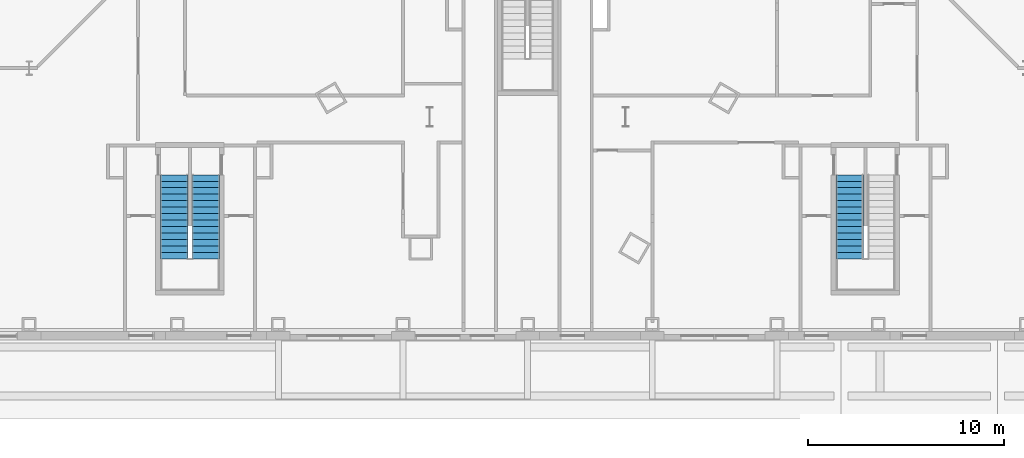
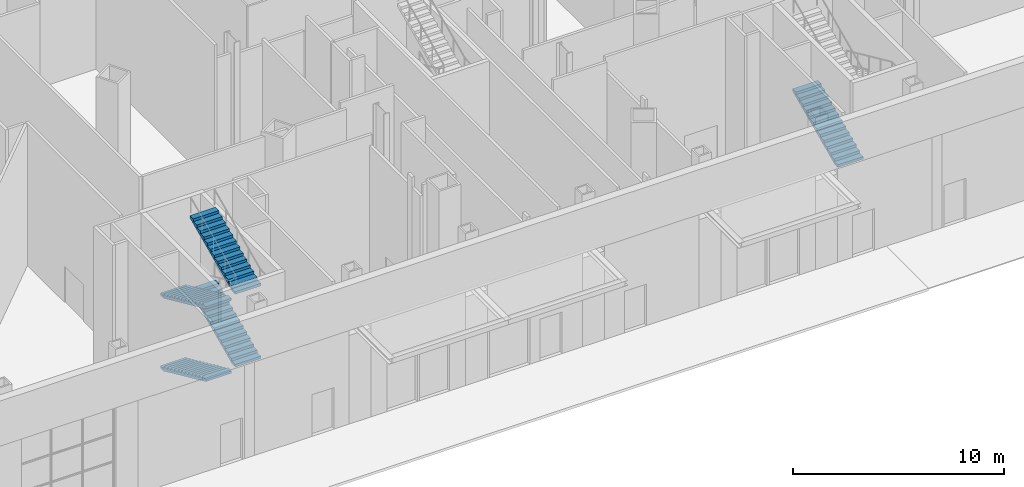
# One storey, part 25 of 34: 5 stair flights, 2 elements without a shape of their own.
"""IFC4 building model written with IfcOpenShell, lengths in metres."""

from ifc_helpers import new_model, si_unit, direction, frame, origin, place, context, subcontext, project, spatial, polygons, material, type_object, element, aggregate, save


model = new_model("IFC4")

# Units and contexts
model_context = context("Model", 3, precision=1e-05, world=origin(), true_north=direction((0.0, 1.0)))
body_context = subcontext(model_context, "Body", "Model", "MODEL_VIEW")
ifc_project = project(units=[si_unit("LENGTHUNIT", "METRE"), si_unit("AREAUNIT", "SQUARE_METRE"), si_unit("VOLUMEUNIT", "CUBIC_METRE"), si_unit("PLANEANGLEUNIT", "RADIAN"), si_unit("MASSUNIT", "GRAM", prefix="KILO")], contexts=[model_context])

# Site, building, storey
site_placement = place(None, origin())
site = spatial("IfcSite", under=ifc_project, at=site_placement, CompositionType="ELEMENT")
building_placement = place(site_placement, origin())
building = spatial("IfcBuilding", under=site, at=building_placement, Name="Njiva Tower", CompositionType="ELEMENT")
storey_placement = place(building_placement, origin())
storey = spatial("IfcBuildingStorey", under=building, at=storey_placement, Name="L00", CompositionType="ELEMENT", Elevation=0.0)

# Stair, stair flights
ifc_material = material(Name="Concrete C40/50", Category="concrete")
stair_type = type_object("IfcStairType", Name="ST2 Exit stair 1400", PredefinedType="HALF_TURN_STAIR", material=ifc_material)
stair_1_placement = place(storey_placement, origin())
stair_1 = element("IfcStair", 1, at=stair_1_placement, inside=storey, type_object=stair_type, Name="Stair D", PredefinedType="DOUBLE_RETURN_STAIR")
stair_flight_type = type_object("IfcStairFlightType", Name="FL2 Stair flight 1400", PredefinedType="STRAIGHT", material=ifc_material)
stair_flight_1_placement = place(storey_placement, frame((-18.05, -25.35, 0.0), z_axis=(0.0, 0.0, 1.0), x_axis=(0.0, -1.0, 0.0)))
stair_flight_1 = element("IfcStairFlight", 2, at=stair_flight_1_placement, type_object=stair_flight_type, Name="ST-D flight 1", NumberOfRisers=14, NumberOfTreads=13, PredefinedType="STRAIGHT", RiserHeight=0.15, TreadLength=0.33, context=body_context, shape_type="Tessellation", body=[
    polygons([(0.0, 0.7, 0.0), (0.0, 0.35, 0.0), (0.0, 0.0, 0.0), (0.0, -0.35, 0.0), (0.0, -0.7, 0.0), (0.0, 0.7, 0.15), (0.0, 0.35, 0.15), (0.0, 0.0, 0.15), (0.0, -0.35, 0.15), (0.0, -0.7, 0.15), (0.33, 0.7, 0.15), (0.33, 0.35, 0.15), (0.33, 0.0, 0.15), (0.33, -0.35, 0.15), (0.33, -0.7, 0.15), (0.33, 0.7, 0.3), (0.33, 0.35, 0.3), (0.33, 0.0, 0.3), (0.33, -0.35, 0.3), (0.33, -0.7, 0.3), (0.66, 0.7, 0.3), (0.66, 0.35, 0.3), (0.66, 0.0, 0.3), (0.66, -0.35, 0.3), (0.66, -0.7, 0.3), (0.66, 0.7, 0.45), (0.66, 0.35, 0.45), (0.66, 0.0, 0.45), (0.66, -0.35, 0.45), (0.66, -0.7, 0.45), (0.99, 0.7, 0.45), (0.99, 0.35, 0.45), (0.99, 0.0, 0.45), (0.99, -0.35, 0.45), (0.99, -0.7, 0.45), (0.99, 0.7, 0.6), (0.99, 0.35, 0.6), (0.99, 0.0, 0.6), (0.99, -0.35, 0.6), (0.99, -0.7, 0.6), (1.32, 0.7, 0.6), (1.32, 0.35, 0.6), (1.32, 0.0, 0.6), (1.32, -0.35, 0.6), (1.32, -0.7, 0.6), (1.32, 0.7, 0.75), (1.32, 0.35, 0.75), (1.32, 0.0, 0.75), (1.32, -0.35, 0.75), (1.32, -0.7, 0.75), (1.65, 0.7, 0.75), (1.65, 0.35, 0.75), (1.65, 0.0, 0.75), (1.65, -0.35, 0.75), (1.65, -0.7, 0.75), (1.65, 0.7, 0.9), (1.65, 0.35, 0.9), (1.65, 0.0, 0.9), (1.65, -0.35, 0.9), (1.65, -0.7, 0.9), (1.98, 0.7, 0.9), (1.98, 0.35, 0.9), (1.98, 0.0, 0.9), (1.98, -0.35, 0.9), (1.98, -0.7, 0.9), (1.98, 0.7, 1.05), (1.98, 0.35, 1.05), (1.98, 0.0, 1.05), (1.98, -0.35, 1.05), (1.98, -0.7, 1.05), (2.31, 0.7, 1.05), (2.31, 0.35, 1.05), (2.31, 0.0, 1.05), (2.31, -0.35, 1.05), (2.31, -0.7, 1.05), (2.31, 0.7, 1.2), (2.31, 0.35, 1.2), (2.31, 0.0, 1.2), (2.31, -0.35, 1.2), (2.31, -0.7, 1.2), (2.64, 0.7, 1.2), (2.64, 0.35, 1.2), (2.64, 0.0, 1.2), (2.64, -0.35, 1.2), (2.64, -0.7, 1.2), (2.64, 0.7, 1.35), (2.64, 0.35, 1.35), (2.64, 0.0, 1.35), (2.64, -0.35, 1.35), (2.64, -0.7, 1.35), (2.97, 0.7, 1.35), (2.97, 0.35, 1.35), (2.97, 0.0, 1.35), (2.97, -0.35, 1.35), (2.97, -0.7, 1.35), (2.97, 0.7, 1.5), (2.97, 0.35, 1.5), (2.97, 0.0, 1.5), (2.97, -0.35, 1.5), (2.97, -0.7, 1.5), (3.3, 0.7, 1.5), (3.3, 0.35, 1.5), (3.3, 0.0, 1.5), (3.3, -0.35, 1.5), (3.3, -0.7, 1.5), (3.3, 0.7, 1.65), (3.3, 0.35, 1.65), (3.3, 0.0, 1.65), (3.3, -0.35, 1.65), (3.3, -0.7, 1.65), (3.63, 0.7, 1.65), (3.63, 0.35, 1.65), (3.63, 0.0, 1.65), (3.63, -0.35, 1.65), (3.63, -0.7, 1.65), (3.63, 0.7, 1.8), (3.63, 0.35, 1.8), (3.63, 0.0, 1.8), (3.63, -0.35, 1.8), (3.63, -0.7, 1.8), (3.96, 0.7, 1.8), (3.96, 0.35, 1.8), (3.96, 0.0, 1.8), (3.96, -0.35, 1.8), (3.96, -0.7, 1.8), (3.96, 0.7, 1.95), (3.96, 0.35, 1.95), (3.96, 0.0, 1.95), (3.96, -0.35, 1.95), (3.96, -0.7, 1.95), (4.29, 0.7, 1.95), (4.29, 0.35, 1.95), (4.29, 0.0, 1.95), (4.29, -0.35, 1.95), (4.29, -0.7, 1.95), (4.29, 0.7, 1.8182), (4.29, 0.35, 1.8182), (4.29, 0.0, 1.8182), (4.29, -0.35, 1.8182), (4.29, -0.7, 1.8182), (0.29, 0.7, 0.0), (0.29, 0.35, 0.0), (0.29, 0.0, 0.0), (0.29, -0.35, 0.0), (0.29, -0.7, 0.0)], [[[1, 6, 11, 16, 21, 26, 31, 36, 41, 46, 51, 56, 61, 66, 71, 76, 81, 86, 91, 96, 101, 106, 111, 116, 121, 126, 131, 136, 141]], [[145, 140, 135, 130, 125, 120, 115, 110, 105, 100, 95, 90, 85, 80, 75, 70, 65, 60, 55, 50, 45, 40, 35, 30, 25, 20, 15, 10, 5]], [[6, 1, 2, 7]], [[7, 2, 3, 8]], [[8, 3, 4, 9]], [[9, 4, 5, 10]], [[11, 6, 7, 12]], [[12, 7, 8, 13]], [[13, 8, 9, 14]], [[14, 9, 10, 15]], [[16, 11, 12, 17]], [[17, 12, 13, 18]], [[18, 13, 14, 19]], [[19, 14, 15, 20]], [[21, 16, 17, 22]], [[22, 17, 18, 23]], [[23, 18, 19, 24]], [[24, 19, 20, 25]], [[26, 21, 22, 27]], [[27, 22, 23, 28]], [[28, 23, 24, 29]], [[29, 24, 25, 30]], [[31, 26, 27, 32]], [[32, 27, 28, 33]], [[33, 28, 29, 34]], [[34, 29, 30, 35]], [[36, 31, 32, 37]], [[37, 32, 33, 38]], [[38, 33, 34, 39]], [[39, 34, 35, 40]], [[41, 36, 37, 42]], [[42, 37, 38, 43]], [[43, 38, 39, 44]], [[44, 39, 40, 45]], [[46, 41, 42, 47]], [[47, 42, 43, 48]], [[48, 43, 44, 49]], [[49, 44, 45, 50]], [[51, 46, 47, 52]], [[52, 47, 48, 53]], [[53, 48, 49, 54]], [[54, 49, 50, 55]], [[56, 51, 52, 57]], [[57, 52, 53, 58]], [[58, 53, 54, 59]], [[59, 54, 55, 60]], [[61, 56, 57, 62]], [[62, 57, 58, 63]], [[63, 58, 59, 64]], [[64, 59, 60, 65]], [[66, 61, 62, 67]], [[67, 62, 63, 68]], [[68, 63, 64, 69]], [[69, 64, 65, 70]], [[71, 66, 67, 72]], [[72, 67, 68, 73]], [[73, 68, 69, 74]], [[74, 69, 70, 75]], [[76, 71, 72, 77]], [[77, 72, 73, 78]], [[78, 73, 74, 79]], [[79, 74, 75, 80]], [[81, 76, 77, 82]], [[82, 77, 78, 83]], [[83, 78, 79, 84]], [[84, 79, 80, 85]], [[86, 81, 82, 87]], [[87, 82, 83, 88]], [[88, 83, 84, 89]], [[89, 84, 85, 90]], [[91, 86, 87, 92]], [[92, 87, 88, 93]], [[93, 88, 89, 94]], [[94, 89, 90, 95]], [[96, 91, 92, 97]], [[97, 92, 93, 98]], [[98, 93, 94, 99]], [[99, 94, 95, 100]], [[101, 96, 97, 102]], [[102, 97, 98, 103]], [[103, 98, 99, 104]], [[104, 99, 100, 105]], [[106, 101, 102, 107]], [[107, 102, 103, 108]], [[108, 103, 104, 109]], [[109, 104, 105, 110]], [[111, 106, 107, 112]], [[112, 107, 108, 113]], [[113, 108, 109, 114]], [[114, 109, 110, 115]], [[116, 111, 112, 117]], [[117, 112, 113, 118]], [[118, 113, 114, 119]], [[119, 114, 115, 120]], [[121, 116, 117, 122]], [[122, 117, 118, 123]], [[123, 118, 119, 124]], [[124, 119, 120, 125]], [[126, 121, 122, 127]], [[127, 122, 123, 128]], [[128, 123, 124, 129]], [[129, 124, 125, 130]], [[131, 126, 127, 132]], [[132, 127, 128, 133]], [[133, 128, 129, 134]], [[134, 129, 130, 135]], [[136, 131, 132, 137]], [[137, 132, 133, 138]], [[138, 133, 134, 139]], [[139, 134, 135, 140]], [[141, 136, 137, 142]], [[142, 137, 138, 143]], [[143, 138, 139, 144]], [[144, 139, 140, 145]], [[1, 141, 142, 2]], [[2, 142, 143, 3]], [[3, 143, 144, 4]], [[4, 144, 145, 5]]], closed=True),
])
stair_flight_2_placement = place(storey_placement, frame((-16.45, -29.64, 2.1), z_axis=(0.0, 0.0, 1.0), x_axis=(0.0, 1.0, 0.0)))
stair_flight_2 = element("IfcStairFlight", 3, at=stair_flight_2_placement, type_object=stair_flight_type, Name="ST-D flight 2", NumberOfRisers=14, NumberOfTreads=13, PredefinedType="STRAIGHT", RiserHeight=0.15, TreadLength=0.33, context=body_context, shape_type="Tessellation", body=[
    polygons([(0.0, 0.7, 0.0), (0.0, 0.35, 0.0), (0.0, 0.0, 0.0), (0.0, -0.35, 0.0), (0.0, -0.7, 0.0), (0.0, 0.7, 0.15), (0.0, 0.35, 0.15), (0.0, 0.0, 0.15), (0.0, -0.35, 0.15), (0.0, -0.7, 0.15), (0.33, 0.7, 0.15), (0.33, 0.35, 0.15), (0.33, 0.0, 0.15), (0.33, -0.35, 0.15), (0.33, -0.7, 0.15), (0.33, 0.7, 0.3), (0.33, 0.35, 0.3), (0.33, 0.0, 0.3), (0.33, -0.35, 0.3), (0.33, -0.7, 0.3), (0.66, 0.7, 0.3), (0.66, 0.35, 0.3), (0.66, 0.0, 0.3), (0.66, -0.35, 0.3), (0.66, -0.7, 0.3), (0.66, 0.7, 0.45), (0.66, 0.35, 0.45), (0.66, 0.0, 0.45), (0.66, -0.35, 0.45), (0.66, -0.7, 0.45), (0.99, 0.7, 0.45), (0.99, 0.35, 0.45), (0.99, 0.0, 0.45), (0.99, -0.35, 0.45), (0.99, -0.7, 0.45), (0.99, 0.7, 0.6), (0.99, 0.35, 0.6), (0.99, 0.0, 0.6), (0.99, -0.35, 0.6), (0.99, -0.7, 0.6), (1.32, 0.7, 0.6), (1.32, 0.35, 0.6), (1.32, 0.0, 0.6), (1.32, -0.35, 0.6), (1.32, -0.7, 0.6), (1.32, 0.7, 0.75), (1.32, 0.35, 0.75), (1.32, 0.0, 0.75), (1.32, -0.35, 0.75), (1.32, -0.7, 0.75), (1.65, 0.7, 0.75), (1.65, 0.35, 0.75), (1.65, 0.0, 0.75), (1.65, -0.35, 0.75), (1.65, -0.7, 0.75), (1.65, 0.7, 0.9), (1.65, 0.35, 0.9), (1.65, 0.0, 0.9), (1.65, -0.35, 0.9), (1.65, -0.7, 0.9), (1.98, 0.7, 0.9), (1.98, 0.35, 0.9), (1.98, 0.0, 0.9), (1.98, -0.35, 0.9), (1.98, -0.7, 0.9), (1.98, 0.7, 1.05), (1.98, 0.35, 1.05), (1.98, 0.0, 1.05), (1.98, -0.35, 1.05), (1.98, -0.7, 1.05), (2.31, 0.7, 1.05), (2.31, 0.35, 1.05), (2.31, 0.0, 1.05), (2.31, -0.35, 1.05), (2.31, -0.7, 1.05), (2.31, 0.7, 1.2), (2.31, 0.35, 1.2), (2.31, 0.0, 1.2), (2.31, -0.35, 1.2), (2.31, -0.7, 1.2), (2.64, 0.7, 1.2), (2.64, 0.35, 1.2), (2.64, 0.0, 1.2), (2.64, -0.35, 1.2), (2.64, -0.7, 1.2), (2.64, 0.7, 1.35), (2.64, 0.35, 1.35), (2.64, 0.0, 1.35), (2.64, -0.35, 1.35), (2.64, -0.7, 1.35), (2.97, 0.7, 1.35), (2.97, 0.35, 1.35), (2.97, 0.0, 1.35), (2.97, -0.35, 1.35), (2.97, -0.7, 1.35), (2.97, 0.7, 1.5), (2.97, 0.35, 1.5), (2.97, 0.0, 1.5), (2.97, -0.35, 1.5), (2.97, -0.7, 1.5), (3.3, 0.7, 1.5), (3.3, 0.35, 1.5), (3.3, 0.0, 1.5), (3.3, -0.35, 1.5), (3.3, -0.7, 1.5), (3.3, 0.7, 1.65), (3.3, 0.35, 1.65), (3.3, 0.0, 1.65), (3.3, -0.35, 1.65), (3.3, -0.7, 1.65), (3.63, 0.7, 1.65), (3.63, 0.35, 1.65), (3.63, 0.0, 1.65), (3.63, -0.35, 1.65), (3.63, -0.7, 1.65), (3.63, 0.7, 1.8), (3.63, 0.35, 1.8), (3.63, 0.0, 1.8), (3.63, -0.35, 1.8), (3.63, -0.7, 1.8), (3.96, 0.7, 1.8), (3.96, 0.35, 1.8), (3.96, 0.0, 1.8), (3.96, -0.35, 1.8), (3.96, -0.7, 1.8), (3.96, 0.7, 1.95), (3.96, 0.35, 1.95), (3.96, 0.0, 1.95), (3.96, -0.35, 1.95), (3.96, -0.7, 1.95), (4.29, 0.7, 1.95), (4.29, 0.35, 1.95), (4.29, 0.0, 1.95), (4.29, -0.35, 1.95), (4.29, -0.7, 1.95), (4.29, 0.7, 1.8182), (4.29, 0.35, 1.8182), (4.29, 0.0, 1.8182), (4.29, -0.35, 1.8182), (4.29, -0.7, 1.8182), (0.29, 0.7, 0.0), (0.29, 0.35, 0.0), (0.29, 0.0, 0.0), (0.29, -0.35, 0.0), (0.29, -0.7, 0.0)], [[[1, 6, 11, 16, 21, 26, 31, 36, 41, 46, 51, 56, 61, 66, 71, 76, 81, 86, 91, 96, 101, 106, 111, 116, 121, 126, 131, 136, 141]], [[145, 140, 135, 130, 125, 120, 115, 110, 105, 100, 95, 90, 85, 80, 75, 70, 65, 60, 55, 50, 45, 40, 35, 30, 25, 20, 15, 10, 5]], [[6, 1, 2, 7]], [[7, 2, 3, 8]], [[8, 3, 4, 9]], [[9, 4, 5, 10]], [[11, 6, 7, 12]], [[12, 7, 8, 13]], [[13, 8, 9, 14]], [[14, 9, 10, 15]], [[16, 11, 12, 17]], [[17, 12, 13, 18]], [[18, 13, 14, 19]], [[19, 14, 15, 20]], [[21, 16, 17, 22]], [[22, 17, 18, 23]], [[23, 18, 19, 24]], [[24, 19, 20, 25]], [[26, 21, 22, 27]], [[27, 22, 23, 28]], [[28, 23, 24, 29]], [[29, 24, 25, 30]], [[31, 26, 27, 32]], [[32, 27, 28, 33]], [[33, 28, 29, 34]], [[34, 29, 30, 35]], [[36, 31, 32, 37]], [[37, 32, 33, 38]], [[38, 33, 34, 39]], [[39, 34, 35, 40]], [[41, 36, 37, 42]], [[42, 37, 38, 43]], [[43, 38, 39, 44]], [[44, 39, 40, 45]], [[46, 41, 42, 47]], [[47, 42, 43, 48]], [[48, 43, 44, 49]], [[49, 44, 45, 50]], [[51, 46, 47, 52]], [[52, 47, 48, 53]], [[53, 48, 49, 54]], [[54, 49, 50, 55]], [[56, 51, 52, 57]], [[57, 52, 53, 58]], [[58, 53, 54, 59]], [[59, 54, 55, 60]], [[61, 56, 57, 62]], [[62, 57, 58, 63]], [[63, 58, 59, 64]], [[64, 59, 60, 65]], [[66, 61, 62, 67]], [[67, 62, 63, 68]], [[68, 63, 64, 69]], [[69, 64, 65, 70]], [[71, 66, 67, 72]], [[72, 67, 68, 73]], [[73, 68, 69, 74]], [[74, 69, 70, 75]], [[76, 71, 72, 77]], [[77, 72, 73, 78]], [[78, 73, 74, 79]], [[79, 74, 75, 80]], [[81, 76, 77, 82]], [[82, 77, 78, 83]], [[83, 78, 79, 84]], [[84, 79, 80, 85]], [[86, 81, 82, 87]], [[87, 82, 83, 88]], [[88, 83, 84, 89]], [[89, 84, 85, 90]], [[91, 86, 87, 92]], [[92, 87, 88, 93]], [[93, 88, 89, 94]], [[94, 89, 90, 95]], [[96, 91, 92, 97]], [[97, 92, 93, 98]], [[98, 93, 94, 99]], [[99, 94, 95, 100]], [[101, 96, 97, 102]], [[102, 97, 98, 103]], [[103, 98, 99, 104]], [[104, 99, 100, 105]], [[106, 101, 102, 107]], [[107, 102, 103, 108]], [[108, 103, 104, 109]], [[109, 104, 105, 110]], [[111, 106, 107, 112]], [[112, 107, 108, 113]], [[113, 108, 109, 114]], [[114, 109, 110, 115]], [[116, 111, 112, 117]], [[117, 112, 113, 118]], [[118, 113, 114, 119]], [[119, 114, 115, 120]], [[121, 116, 117, 122]], [[122, 117, 118, 123]], [[123, 118, 119, 124]], [[124, 119, 120, 125]], [[126, 121, 122, 127]], [[127, 122, 123, 128]], [[128, 123, 124, 129]], [[129, 124, 125, 130]], [[131, 126, 127, 132]], [[132, 127, 128, 133]], [[133, 128, 129, 134]], [[134, 129, 130, 135]], [[136, 131, 132, 137]], [[137, 132, 133, 138]], [[138, 133, 134, 139]], [[139, 134, 135, 140]], [[141, 136, 137, 142]], [[142, 137, 138, 143]], [[143, 138, 139, 144]], [[144, 139, 140, 145]], [[1, 141, 142, 2]], [[2, 142, 143, 3]], [[3, 143, 144, 4]], [[4, 144, 145, 5]]], closed=True),
])
stair_flight_3_placement = place(storey_placement, frame((-18.05, -25.35, 4.2), z_axis=(0.0, 0.0, 1.0), x_axis=(0.0, -1.0, 0.0)))
stair_flight_3 = element("IfcStairFlight", 4, at=stair_flight_3_placement, type_object=stair_flight_type, Name="ST-D flight 3", NumberOfRisers=14, NumberOfTreads=13, PredefinedType="STRAIGHT", RiserHeight=0.15, TreadLength=0.33, context=body_context, shape_type="Tessellation", body=[
    polygons([(0.0, 0.7, 0.0), (0.0, 0.35, 0.0), (0.0, 0.0, 0.0), (0.0, -0.35, 0.0), (0.0, -0.7, 0.0), (0.0, 0.7, 0.15), (0.0, 0.35, 0.15), (0.0, 0.0, 0.15), (0.0, -0.35, 0.15), (0.0, -0.7, 0.15), (0.33, 0.7, 0.15), (0.33, 0.35, 0.15), (0.33, 0.0, 0.15), (0.33, -0.35, 0.15), (0.33, -0.7, 0.15), (0.33, 0.7, 0.3), (0.33, 0.35, 0.3), (0.33, 0.0, 0.3), (0.33, -0.35, 0.3), (0.33, -0.7, 0.3), (0.66, 0.7, 0.3), (0.66, 0.35, 0.3), (0.66, 0.0, 0.3), (0.66, -0.35, 0.3), (0.66, -0.7, 0.3), (0.66, 0.7, 0.45), (0.66, 0.35, 0.45), (0.66, 0.0, 0.45), (0.66, -0.35, 0.45), (0.66, -0.7, 0.45), (0.99, 0.7, 0.45), (0.99, 0.35, 0.45), (0.99, 0.0, 0.45), (0.99, -0.35, 0.45), (0.99, -0.7, 0.45), (0.99, 0.7, 0.6), (0.99, 0.35, 0.6), (0.99, 0.0, 0.6), (0.99, -0.35, 0.6), (0.99, -0.7, 0.6), (1.32, 0.7, 0.6), (1.32, 0.35, 0.6), (1.32, 0.0, 0.6), (1.32, -0.35, 0.6), (1.32, -0.7, 0.6), (1.32, 0.7, 0.75), (1.32, 0.35, 0.75), (1.32, 0.0, 0.75), (1.32, -0.35, 0.75), (1.32, -0.7, 0.75), (1.65, 0.7, 0.75), (1.65, 0.35, 0.75), (1.65, 0.0, 0.75), (1.65, -0.35, 0.75), (1.65, -0.7, 0.75), (1.65, 0.7, 0.9), (1.65, 0.35, 0.9), (1.65, 0.0, 0.9), (1.65, -0.35, 0.9), (1.65, -0.7, 0.9), (1.98, 0.7, 0.9), (1.98, 0.35, 0.9), (1.98, 0.0, 0.9), (1.98, -0.35, 0.9), (1.98, -0.7, 0.9), (1.98, 0.7, 1.05), (1.98, 0.35, 1.05), (1.98, 0.0, 1.05), (1.98, -0.35, 1.05), (1.98, -0.7, 1.05), (2.31, 0.7, 1.05), (2.31, 0.35, 1.05), (2.31, 0.0, 1.05), (2.31, -0.35, 1.05), (2.31, -0.7, 1.05), (2.31, 0.7, 1.2), (2.31, 0.35, 1.2), (2.31, 0.0, 1.2), (2.31, -0.35, 1.2), (2.31, -0.7, 1.2), (2.64, 0.7, 1.2), (2.64, 0.35, 1.2), (2.64, 0.0, 1.2), (2.64, -0.35, 1.2), (2.64, -0.7, 1.2), (2.64, 0.7, 1.35), (2.64, 0.35, 1.35), (2.64, 0.0, 1.35), (2.64, -0.35, 1.35), (2.64, -0.7, 1.35), (2.97, 0.7, 1.35), (2.97, 0.35, 1.35), (2.97, 0.0, 1.35), (2.97, -0.35, 1.35), (2.97, -0.7, 1.35), (2.97, 0.7, 1.5), (2.97, 0.35, 1.5), (2.97, 0.0, 1.5), (2.97, -0.35, 1.5), (2.97, -0.7, 1.5), (3.3, 0.7, 1.5), (3.3, 0.35, 1.5), (3.3, 0.0, 1.5), (3.3, -0.35, 1.5), (3.3, -0.7, 1.5), (3.3, 0.7, 1.65), (3.3, 0.35, 1.65), (3.3, 0.0, 1.65), (3.3, -0.35, 1.65), (3.3, -0.7, 1.65), (3.63, 0.7, 1.65), (3.63, 0.35, 1.65), (3.63, 0.0, 1.65), (3.63, -0.35, 1.65), (3.63, -0.7, 1.65), (3.63, 0.7, 1.8), (3.63, 0.35, 1.8), (3.63, 0.0, 1.8), (3.63, -0.35, 1.8), (3.63, -0.7, 1.8), (3.96, 0.7, 1.8), (3.96, 0.35, 1.8), (3.96, 0.0, 1.8), (3.96, -0.35, 1.8), (3.96, -0.7, 1.8), (3.96, 0.7, 1.95), (3.96, 0.35, 1.95), (3.96, 0.0, 1.95), (3.96, -0.35, 1.95), (3.96, -0.7, 1.95), (4.29, 0.7, 1.95), (4.29, 0.35, 1.95), (4.29, 0.0, 1.95), (4.29, -0.35, 1.95), (4.29, -0.7, 1.95), (4.29, 0.7, 1.8182), (4.29, 0.35, 1.8182), (4.29, 0.0, 1.8182), (4.29, -0.35, 1.8182), (4.29, -0.7, 1.8182), (0.29, 0.7, 0.0), (0.29, 0.35, 0.0), (0.29, 0.0, 0.0), (0.29, -0.35, 0.0), (0.29, -0.7, 0.0)], [[[1, 6, 11, 16, 21, 26, 31, 36, 41, 46, 51, 56, 61, 66, 71, 76, 81, 86, 91, 96, 101, 106, 111, 116, 121, 126, 131, 136, 141]], [[145, 140, 135, 130, 125, 120, 115, 110, 105, 100, 95, 90, 85, 80, 75, 70, 65, 60, 55, 50, 45, 40, 35, 30, 25, 20, 15, 10, 5]], [[6, 1, 2, 7]], [[7, 2, 3, 8]], [[8, 3, 4, 9]], [[9, 4, 5, 10]], [[11, 6, 7, 12]], [[12, 7, 8, 13]], [[13, 8, 9, 14]], [[14, 9, 10, 15]], [[16, 11, 12, 17]], [[17, 12, 13, 18]], [[18, 13, 14, 19]], [[19, 14, 15, 20]], [[21, 16, 17, 22]], [[22, 17, 18, 23]], [[23, 18, 19, 24]], [[24, 19, 20, 25]], [[26, 21, 22, 27]], [[27, 22, 23, 28]], [[28, 23, 24, 29]], [[29, 24, 25, 30]], [[31, 26, 27, 32]], [[32, 27, 28, 33]], [[33, 28, 29, 34]], [[34, 29, 30, 35]], [[36, 31, 32, 37]], [[37, 32, 33, 38]], [[38, 33, 34, 39]], [[39, 34, 35, 40]], [[41, 36, 37, 42]], [[42, 37, 38, 43]], [[43, 38, 39, 44]], [[44, 39, 40, 45]], [[46, 41, 42, 47]], [[47, 42, 43, 48]], [[48, 43, 44, 49]], [[49, 44, 45, 50]], [[51, 46, 47, 52]], [[52, 47, 48, 53]], [[53, 48, 49, 54]], [[54, 49, 50, 55]], [[56, 51, 52, 57]], [[57, 52, 53, 58]], [[58, 53, 54, 59]], [[59, 54, 55, 60]], [[61, 56, 57, 62]], [[62, 57, 58, 63]], [[63, 58, 59, 64]], [[64, 59, 60, 65]], [[66, 61, 62, 67]], [[67, 62, 63, 68]], [[68, 63, 64, 69]], [[69, 64, 65, 70]], [[71, 66, 67, 72]], [[72, 67, 68, 73]], [[73, 68, 69, 74]], [[74, 69, 70, 75]], [[76, 71, 72, 77]], [[77, 72, 73, 78]], [[78, 73, 74, 79]], [[79, 74, 75, 80]], [[81, 76, 77, 82]], [[82, 77, 78, 83]], [[83, 78, 79, 84]], [[84, 79, 80, 85]], [[86, 81, 82, 87]], [[87, 82, 83, 88]], [[88, 83, 84, 89]], [[89, 84, 85, 90]], [[91, 86, 87, 92]], [[92, 87, 88, 93]], [[93, 88, 89, 94]], [[94, 89, 90, 95]], [[96, 91, 92, 97]], [[97, 92, 93, 98]], [[98, 93, 94, 99]], [[99, 94, 95, 100]], [[101, 96, 97, 102]], [[102, 97, 98, 103]], [[103, 98, 99, 104]], [[104, 99, 100, 105]], [[106, 101, 102, 107]], [[107, 102, 103, 108]], [[108, 103, 104, 109]], [[109, 104, 105, 110]], [[111, 106, 107, 112]], [[112, 107, 108, 113]], [[113, 108, 109, 114]], [[114, 109, 110, 115]], [[116, 111, 112, 117]], [[117, 112, 113, 118]], [[118, 113, 114, 119]], [[119, 114, 115, 120]], [[121, 116, 117, 122]], [[122, 117, 118, 123]], [[123, 118, 119, 124]], [[124, 119, 120, 125]], [[126, 121, 122, 127]], [[127, 122, 123, 128]], [[128, 123, 124, 129]], [[129, 124, 125, 130]], [[131, 126, 127, 132]], [[132, 127, 128, 133]], [[133, 128, 129, 134]], [[134, 129, 130, 135]], [[136, 131, 132, 137]], [[137, 132, 133, 138]], [[138, 133, 134, 139]], [[139, 134, 135, 140]], [[141, 136, 137, 142]], [[142, 137, 138, 143]], [[143, 138, 139, 144]], [[144, 139, 140, 145]], [[1, 141, 142, 2]], [[2, 142, 143, 3]], [[3, 143, 144, 4]], [[4, 144, 145, 5]]], closed=True),
])
stair_flight_4_placement = place(storey_placement, frame((-16.45, -29.64, 6.3), z_axis=(0.0, 0.0, 1.0), x_axis=(0.0, 1.0, 0.0)))
stair_flight_4 = element("IfcStairFlight", 5, at=stair_flight_4_placement, type_object=stair_flight_type, Name="ST-D flight 4", NumberOfRisers=14, NumberOfTreads=13, PredefinedType="STRAIGHT", RiserHeight=0.15, TreadLength=0.33, context=body_context, shape_type="Tessellation", body=[
    polygons([(0.0, 0.7, 0.0), (0.0, 0.35, 0.0), (0.0, 0.0, 0.0), (0.0, -0.35, 0.0), (0.0, -0.7, 0.0), (0.0, 0.7, 0.15), (0.0, 0.35, 0.15), (0.0, 0.0, 0.15), (0.0, -0.35, 0.15), (0.0, -0.7, 0.15), (0.33, 0.7, 0.15), (0.33, 0.35, 0.15), (0.33, 0.0, 0.15), (0.33, -0.35, 0.15), (0.33, -0.7, 0.15), (0.33, 0.7, 0.3), (0.33, 0.35, 0.3), (0.33, 0.0, 0.3), (0.33, -0.35, 0.3), (0.33, -0.7, 0.3), (0.66, 0.7, 0.3), (0.66, 0.35, 0.3), (0.66, 0.0, 0.3), (0.66, -0.35, 0.3), (0.66, -0.7, 0.3), (0.66, 0.7, 0.45), (0.66, 0.35, 0.45), (0.66, 0.0, 0.45), (0.66, -0.35, 0.45), (0.66, -0.7, 0.45), (0.99, 0.7, 0.45), (0.99, 0.35, 0.45), (0.99, 0.0, 0.45), (0.99, -0.35, 0.45), (0.99, -0.7, 0.45), (0.99, 0.7, 0.6), (0.99, 0.35, 0.6), (0.99, 0.0, 0.6), (0.99, -0.35, 0.6), (0.99, -0.7, 0.6), (1.32, 0.7, 0.6), (1.32, 0.35, 0.6), (1.32, 0.0, 0.6), (1.32, -0.35, 0.6), (1.32, -0.7, 0.6), (1.32, 0.7, 0.75), (1.32, 0.35, 0.75), (1.32, 0.0, 0.75), (1.32, -0.35, 0.75), (1.32, -0.7, 0.75), (1.65, 0.7, 0.75), (1.65, 0.35, 0.75), (1.65, 0.0, 0.75), (1.65, -0.35, 0.75), (1.65, -0.7, 0.75), (1.65, 0.7, 0.9), (1.65, 0.35, 0.9), (1.65, 0.0, 0.9), (1.65, -0.35, 0.9), (1.65, -0.7, 0.9), (1.98, 0.7, 0.9), (1.98, 0.35, 0.9), (1.98, 0.0, 0.9), (1.98, -0.35, 0.9), (1.98, -0.7, 0.9), (1.98, 0.7, 1.05), (1.98, 0.35, 1.05), (1.98, 0.0, 1.05), (1.98, -0.35, 1.05), (1.98, -0.7, 1.05), (2.31, 0.7, 1.05), (2.31, 0.35, 1.05), (2.31, 0.0, 1.05), (2.31, -0.35, 1.05), (2.31, -0.7, 1.05), (2.31, 0.7, 1.2), (2.31, 0.35, 1.2), (2.31, 0.0, 1.2), (2.31, -0.35, 1.2), (2.31, -0.7, 1.2), (2.64, 0.7, 1.2), (2.64, 0.35, 1.2), (2.64, 0.0, 1.2), (2.64, -0.35, 1.2), (2.64, -0.7, 1.2), (2.64, 0.7, 1.35), (2.64, 0.35, 1.35), (2.64, 0.0, 1.35), (2.64, -0.35, 1.35), (2.64, -0.7, 1.35), (2.97, 0.7, 1.35), (2.97, 0.35, 1.35), (2.97, 0.0, 1.35), (2.97, -0.35, 1.35), (2.97, -0.7, 1.35), (2.97, 0.7, 1.5), (2.97, 0.35, 1.5), (2.97, 0.0, 1.5), (2.97, -0.35, 1.5), (2.97, -0.7, 1.5), (3.3, 0.7, 1.5), (3.3, 0.35, 1.5), (3.3, 0.0, 1.5), (3.3, -0.35, 1.5), (3.3, -0.7, 1.5), (3.3, 0.7, 1.65), (3.3, 0.35, 1.65), (3.3, 0.0, 1.65), (3.3, -0.35, 1.65), (3.3, -0.7, 1.65), (3.63, 0.7, 1.65), (3.63, 0.35, 1.65), (3.63, 0.0, 1.65), (3.63, -0.35, 1.65), (3.63, -0.7, 1.65), (3.63, 0.7, 1.8), (3.63, 0.35, 1.8), (3.63, 0.0, 1.8), (3.63, -0.35, 1.8), (3.63, -0.7, 1.8), (3.96, 0.7, 1.8), (3.96, 0.35, 1.8), (3.96, 0.0, 1.8), (3.96, -0.35, 1.8), (3.96, -0.7, 1.8), (3.96, 0.7, 1.95), (3.96, 0.35, 1.95), (3.96, 0.0, 1.95), (3.96, -0.35, 1.95), (3.96, -0.7, 1.95), (4.29, 0.7, 1.95), (4.29, 0.35, 1.95), (4.29, 0.0, 1.95), (4.29, -0.35, 1.95), (4.29, -0.7, 1.95), (4.29, 0.7, 1.8182), (4.29, 0.35, 1.8182), (4.29, 0.0, 1.8182), (4.29, -0.35, 1.8182), (4.29, -0.7, 1.8182), (0.29, 0.7, 0.0), (0.29, 0.35, 0.0), (0.29, 0.0, 0.0), (0.29, -0.35, 0.0), (0.29, -0.7, 0.0)], [[[1, 6, 11, 16, 21, 26, 31, 36, 41, 46, 51, 56, 61, 66, 71, 76, 81, 86, 91, 96, 101, 106, 111, 116, 121, 126, 131, 136, 141]], [[145, 140, 135, 130, 125, 120, 115, 110, 105, 100, 95, 90, 85, 80, 75, 70, 65, 60, 55, 50, 45, 40, 35, 30, 25, 20, 15, 10, 5]], [[6, 1, 2, 7]], [[7, 2, 3, 8]], [[8, 3, 4, 9]], [[9, 4, 5, 10]], [[11, 6, 7, 12]], [[12, 7, 8, 13]], [[13, 8, 9, 14]], [[14, 9, 10, 15]], [[16, 11, 12, 17]], [[17, 12, 13, 18]], [[18, 13, 14, 19]], [[19, 14, 15, 20]], [[21, 16, 17, 22]], [[22, 17, 18, 23]], [[23, 18, 19, 24]], [[24, 19, 20, 25]], [[26, 21, 22, 27]], [[27, 22, 23, 28]], [[28, 23, 24, 29]], [[29, 24, 25, 30]], [[31, 26, 27, 32]], [[32, 27, 28, 33]], [[33, 28, 29, 34]], [[34, 29, 30, 35]], [[36, 31, 32, 37]], [[37, 32, 33, 38]], [[38, 33, 34, 39]], [[39, 34, 35, 40]], [[41, 36, 37, 42]], [[42, 37, 38, 43]], [[43, 38, 39, 44]], [[44, 39, 40, 45]], [[46, 41, 42, 47]], [[47, 42, 43, 48]], [[48, 43, 44, 49]], [[49, 44, 45, 50]], [[51, 46, 47, 52]], [[52, 47, 48, 53]], [[53, 48, 49, 54]], [[54, 49, 50, 55]], [[56, 51, 52, 57]], [[57, 52, 53, 58]], [[58, 53, 54, 59]], [[59, 54, 55, 60]], [[61, 56, 57, 62]], [[62, 57, 58, 63]], [[63, 58, 59, 64]], [[64, 59, 60, 65]], [[66, 61, 62, 67]], [[67, 62, 63, 68]], [[68, 63, 64, 69]], [[69, 64, 65, 70]], [[71, 66, 67, 72]], [[72, 67, 68, 73]], [[73, 68, 69, 74]], [[74, 69, 70, 75]], [[76, 71, 72, 77]], [[77, 72, 73, 78]], [[78, 73, 74, 79]], [[79, 74, 75, 80]], [[81, 76, 77, 82]], [[82, 77, 78, 83]], [[83, 78, 79, 84]], [[84, 79, 80, 85]], [[86, 81, 82, 87]], [[87, 82, 83, 88]], [[88, 83, 84, 89]], [[89, 84, 85, 90]], [[91, 86, 87, 92]], [[92, 87, 88, 93]], [[93, 88, 89, 94]], [[94, 89, 90, 95]], [[96, 91, 92, 97]], [[97, 92, 93, 98]], [[98, 93, 94, 99]], [[99, 94, 95, 100]], [[101, 96, 97, 102]], [[102, 97, 98, 103]], [[103, 98, 99, 104]], [[104, 99, 100, 105]], [[106, 101, 102, 107]], [[107, 102, 103, 108]], [[108, 103, 104, 109]], [[109, 104, 105, 110]], [[111, 106, 107, 112]], [[112, 107, 108, 113]], [[113, 108, 109, 114]], [[114, 109, 110, 115]], [[116, 111, 112, 117]], [[117, 112, 113, 118]], [[118, 113, 114, 119]], [[119, 114, 115, 120]], [[121, 116, 117, 122]], [[122, 117, 118, 123]], [[123, 118, 119, 124]], [[124, 119, 120, 125]], [[126, 121, 122, 127]], [[127, 122, 123, 128]], [[128, 123, 124, 129]], [[129, 124, 125, 130]], [[131, 126, 127, 132]], [[132, 127, 128, 133]], [[133, 128, 129, 134]], [[134, 129, 130, 135]], [[136, 131, 132, 137]], [[137, 132, 133, 138]], [[138, 133, 134, 139]], [[139, 134, 135, 140]], [[141, 136, 137, 142]], [[142, 137, 138, 143]], [[143, 138, 139, 144]], [[144, 139, 140, 145]], [[1, 141, 142, 2]], [[2, 142, 143, 3]], [[3, 143, 144, 4]], [[4, 144, 145, 5]]], closed=True),
])
aggregate(stair_1, [stair_flight_1, stair_flight_2, stair_flight_3, stair_flight_4])

# Stair, stair flight
stair_2_placement = place(storey_placement, origin())
stair_2 = element("IfcStair", 6, at=stair_2_placement, inside=storey, type_object=stair_type, Name="Stair E", PredefinedType="DOUBLE_RETURN_STAIR")
stair_flight_5_placement = place(storey_placement, frame((16.45, -29.64, 2.1), z_axis=(0.0, 0.0, 1.0), x_axis=(0.0, 1.0, 0.0)))
stair_flight_5 = element("IfcStairFlight", 7, at=stair_flight_5_placement, type_object=stair_flight_type, Name="ST-E flight 2", NumberOfRisers=14, NumberOfTreads=13, PredefinedType="STRAIGHT", RiserHeight=0.15, TreadLength=0.33, context=body_context, shape_type="Tessellation", body=[
    polygons([(0.0, 0.7, 0.0), (0.0, 0.35, 0.0), (0.0, 0.0, 0.0), (0.0, -0.35, 0.0), (0.0, -0.7, 0.0), (0.0, 0.7, 0.15), (0.0, 0.35, 0.15), (0.0, 0.0, 0.15), (0.0, -0.35, 0.15), (0.0, -0.7, 0.15), (0.33, 0.7, 0.15), (0.33, 0.35, 0.15), (0.33, 0.0, 0.15), (0.33, -0.35, 0.15), (0.33, -0.7, 0.15), (0.33, 0.7, 0.3), (0.33, 0.35, 0.3), (0.33, 0.0, 0.3), (0.33, -0.35, 0.3), (0.33, -0.7, 0.3), (0.66, 0.7, 0.3), (0.66, 0.35, 0.3), (0.66, 0.0, 0.3), (0.66, -0.35, 0.3), (0.66, -0.7, 0.3), (0.66, 0.7, 0.45), (0.66, 0.35, 0.45), (0.66, 0.0, 0.45), (0.66, -0.35, 0.45), (0.66, -0.7, 0.45), (0.99, 0.7, 0.45), (0.99, 0.35, 0.45), (0.99, 0.0, 0.45), (0.99, -0.35, 0.45), (0.99, -0.7, 0.45), (0.99, 0.7, 0.6), (0.99, 0.35, 0.6), (0.99, 0.0, 0.6), (0.99, -0.35, 0.6), (0.99, -0.7, 0.6), (1.32, 0.7, 0.6), (1.32, 0.35, 0.6), (1.32, 0.0, 0.6), (1.32, -0.35, 0.6), (1.32, -0.7, 0.6), (1.32, 0.7, 0.75), (1.32, 0.35, 0.75), (1.32, 0.0, 0.75), (1.32, -0.35, 0.75), (1.32, -0.7, 0.75), (1.65, 0.7, 0.75), (1.65, 0.35, 0.75), (1.65, 0.0, 0.75), (1.65, -0.35, 0.75), (1.65, -0.7, 0.75), (1.65, 0.7, 0.9), (1.65, 0.35, 0.9), (1.65, 0.0, 0.9), (1.65, -0.35, 0.9), (1.65, -0.7, 0.9), (1.98, 0.7, 0.9), (1.98, 0.35, 0.9), (1.98, 0.0, 0.9), (1.98, -0.35, 0.9), (1.98, -0.7, 0.9), (1.98, 0.7, 1.05), (1.98, 0.35, 1.05), (1.98, 0.0, 1.05), (1.98, -0.35, 1.05), (1.98, -0.7, 1.05), (2.31, 0.7, 1.05), (2.31, 0.35, 1.05), (2.31, 0.0, 1.05), (2.31, -0.35, 1.05), (2.31, -0.7, 1.05), (2.31, 0.7, 1.2), (2.31, 0.35, 1.2), (2.31, 0.0, 1.2), (2.31, -0.35, 1.2), (2.31, -0.7, 1.2), (2.64, 0.7, 1.2), (2.64, 0.35, 1.2), (2.64, 0.0, 1.2), (2.64, -0.35, 1.2), (2.64, -0.7, 1.2), (2.64, 0.7, 1.35), (2.64, 0.35, 1.35), (2.64, 0.0, 1.35), (2.64, -0.35, 1.35), (2.64, -0.7, 1.35), (2.97, 0.7, 1.35), (2.97, 0.35, 1.35), (2.97, 0.0, 1.35), (2.97, -0.35, 1.35), (2.97, -0.7, 1.35), (2.97, 0.7, 1.5), (2.97, 0.35, 1.5), (2.97, 0.0, 1.5), (2.97, -0.35, 1.5), (2.97, -0.7, 1.5), (3.3, 0.7, 1.5), (3.3, 0.35, 1.5), (3.3, 0.0, 1.5), (3.3, -0.35, 1.5), (3.3, -0.7, 1.5), (3.3, 0.7, 1.65), (3.3, 0.35, 1.65), (3.3, 0.0, 1.65), (3.3, -0.35, 1.65), (3.3, -0.7, 1.65), (3.63, 0.7, 1.65), (3.63, 0.35, 1.65), (3.63, 0.0, 1.65), (3.63, -0.35, 1.65), (3.63, -0.7, 1.65), (3.63, 0.7, 1.8), (3.63, 0.35, 1.8), (3.63, 0.0, 1.8), (3.63, -0.35, 1.8), (3.63, -0.7, 1.8), (3.96, 0.7, 1.8), (3.96, 0.35, 1.8), (3.96, 0.0, 1.8), (3.96, -0.35, 1.8), (3.96, -0.7, 1.8), (3.96, 0.7, 1.95), (3.96, 0.35, 1.95), (3.96, 0.0, 1.95), (3.96, -0.35, 1.95), (3.96, -0.7, 1.95), (4.29, 0.7, 1.95), (4.29, 0.35, 1.95), (4.29, 0.0, 1.95), (4.29, -0.35, 1.95), (4.29, -0.7, 1.95), (4.29, 0.7, 1.8182), (4.29, 0.35, 1.8182), (4.29, 0.0, 1.8182), (4.29, -0.35, 1.8182), (4.29, -0.7, 1.8182), (0.29, 0.7, 0.0), (0.29, 0.35, 0.0), (0.29, 0.0, 0.0), (0.29, -0.35, 0.0), (0.29, -0.7, 0.0)], [[[1, 6, 11, 16, 21, 26, 31, 36, 41, 46, 51, 56, 61, 66, 71, 76, 81, 86, 91, 96, 101, 106, 111, 116, 121, 126, 131, 136, 141]], [[145, 140, 135, 130, 125, 120, 115, 110, 105, 100, 95, 90, 85, 80, 75, 70, 65, 60, 55, 50, 45, 40, 35, 30, 25, 20, 15, 10, 5]], [[6, 1, 2, 7]], [[7, 2, 3, 8]], [[8, 3, 4, 9]], [[9, 4, 5, 10]], [[11, 6, 7, 12]], [[12, 7, 8, 13]], [[13, 8, 9, 14]], [[14, 9, 10, 15]], [[16, 11, 12, 17]], [[17, 12, 13, 18]], [[18, 13, 14, 19]], [[19, 14, 15, 20]], [[21, 16, 17, 22]], [[22, 17, 18, 23]], [[23, 18, 19, 24]], [[24, 19, 20, 25]], [[26, 21, 22, 27]], [[27, 22, 23, 28]], [[28, 23, 24, 29]], [[29, 24, 25, 30]], [[31, 26, 27, 32]], [[32, 27, 28, 33]], [[33, 28, 29, 34]], [[34, 29, 30, 35]], [[36, 31, 32, 37]], [[37, 32, 33, 38]], [[38, 33, 34, 39]], [[39, 34, 35, 40]], [[41, 36, 37, 42]], [[42, 37, 38, 43]], [[43, 38, 39, 44]], [[44, 39, 40, 45]], [[46, 41, 42, 47]], [[47, 42, 43, 48]], [[48, 43, 44, 49]], [[49, 44, 45, 50]], [[51, 46, 47, 52]], [[52, 47, 48, 53]], [[53, 48, 49, 54]], [[54, 49, 50, 55]], [[56, 51, 52, 57]], [[57, 52, 53, 58]], [[58, 53, 54, 59]], [[59, 54, 55, 60]], [[61, 56, 57, 62]], [[62, 57, 58, 63]], [[63, 58, 59, 64]], [[64, 59, 60, 65]], [[66, 61, 62, 67]], [[67, 62, 63, 68]], [[68, 63, 64, 69]], [[69, 64, 65, 70]], [[71, 66, 67, 72]], [[72, 67, 68, 73]], [[73, 68, 69, 74]], [[74, 69, 70, 75]], [[76, 71, 72, 77]], [[77, 72, 73, 78]], [[78, 73, 74, 79]], [[79, 74, 75, 80]], [[81, 76, 77, 82]], [[82, 77, 78, 83]], [[83, 78, 79, 84]], [[84, 79, 80, 85]], [[86, 81, 82, 87]], [[87, 82, 83, 88]], [[88, 83, 84, 89]], [[89, 84, 85, 90]], [[91, 86, 87, 92]], [[92, 87, 88, 93]], [[93, 88, 89, 94]], [[94, 89, 90, 95]], [[96, 91, 92, 97]], [[97, 92, 93, 98]], [[98, 93, 94, 99]], [[99, 94, 95, 100]], [[101, 96, 97, 102]], [[102, 97, 98, 103]], [[103, 98, 99, 104]], [[104, 99, 100, 105]], [[106, 101, 102, 107]], [[107, 102, 103, 108]], [[108, 103, 104, 109]], [[109, 104, 105, 110]], [[111, 106, 107, 112]], [[112, 107, 108, 113]], [[113, 108, 109, 114]], [[114, 109, 110, 115]], [[116, 111, 112, 117]], [[117, 112, 113, 118]], [[118, 113, 114, 119]], [[119, 114, 115, 120]], [[121, 116, 117, 122]], [[122, 117, 118, 123]], [[123, 118, 119, 124]], [[124, 119, 120, 125]], [[126, 121, 122, 127]], [[127, 122, 123, 128]], [[128, 123, 124, 129]], [[129, 124, 125, 130]], [[131, 126, 127, 132]], [[132, 127, 128, 133]], [[133, 128, 129, 134]], [[134, 129, 130, 135]], [[136, 131, 132, 137]], [[137, 132, 133, 138]], [[138, 133, 134, 139]], [[139, 134, 135, 140]], [[141, 136, 137, 142]], [[142, 137, 138, 143]], [[143, 138, 139, 144]], [[144, 139, 140, 145]], [[1, 141, 142, 2]], [[2, 142, 143, 3]], [[3, 143, 144, 4]], [[4, 144, 145, 5]]], closed=True),
])
aggregate(stair_2, [stair_flight_5])

save(model, "model.ifc")
